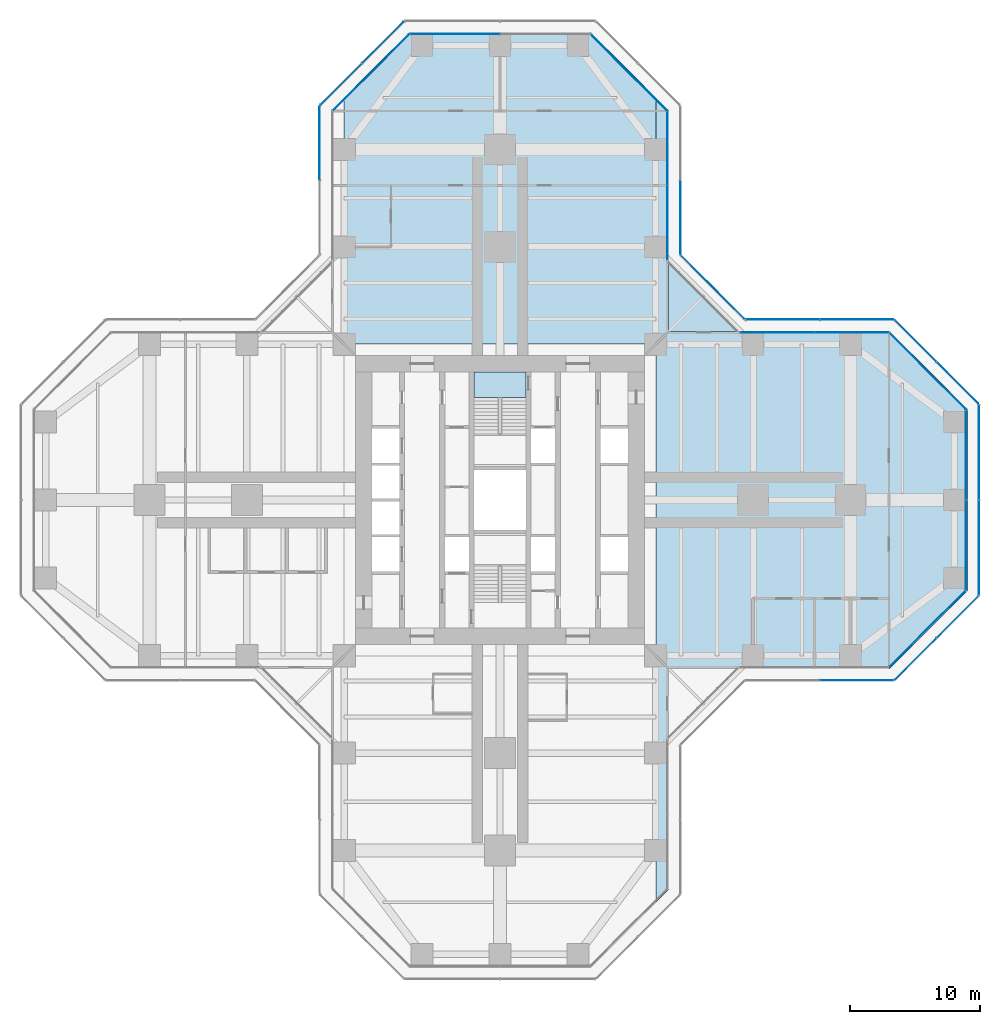
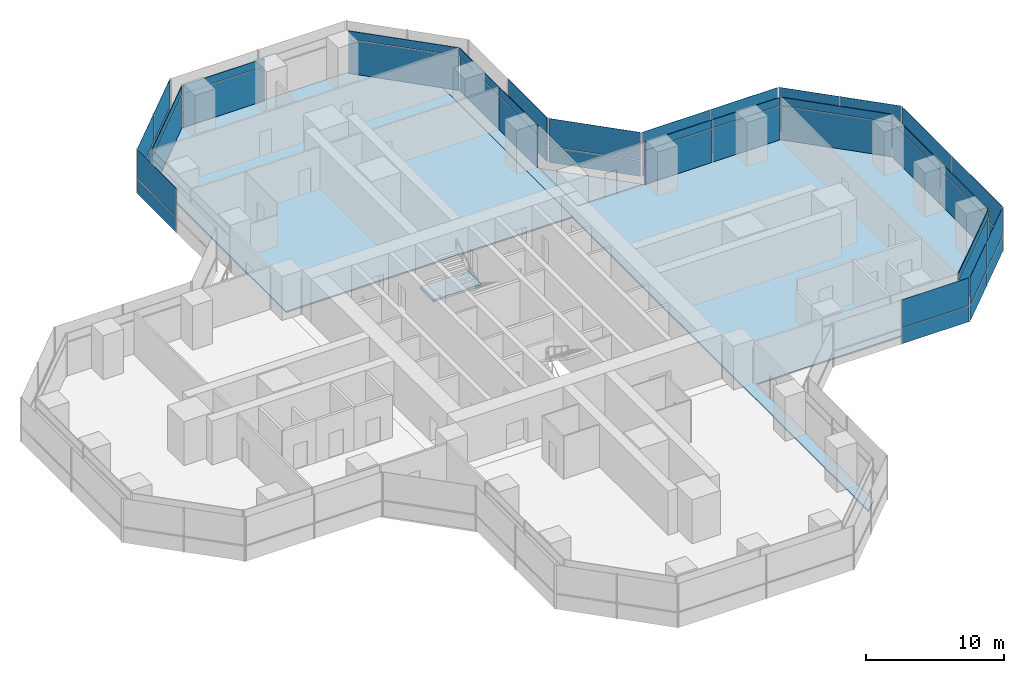
# One storey, part 16 of 22: 50 plates, 4 slabs, 18 elements without a shape of their own.
"""IFC4 building model written with IfcOpenShell, lengths in metres."""

from ifc_helpers import new_model, si_unit, direction, frame, origin, origin_2d, place, context, subcontext, project, spatial, polyline, rectangle, outline, extrude, material, layer, layer_set, type_object, element, aggregate, save


model = new_model("IFC4")

# Units and contexts
model_context = context("Model", 3, precision=1e-05, world=origin(), true_north=direction((0.0, 1.0)))
body_context = subcontext(model_context, "Body", "Model", "MODEL_VIEW")
ifc_project = project(units=[si_unit("LENGTHUNIT", "METRE"), si_unit("AREAUNIT", "SQUARE_METRE"), si_unit("VOLUMEUNIT", "CUBIC_METRE"), si_unit("PLANEANGLEUNIT", "RADIAN"), si_unit("MASSUNIT", "GRAM", prefix="KILO")], contexts=[model_context])

# Site, building, storey
site_placement = place(None, origin())
site = spatial("IfcSite", under=ifc_project, at=site_placement, CompositionType="ELEMENT")
building_placement = place(site_placement, origin())
building = spatial("IfcBuilding", under=site, at=building_placement, Name="Mizan Broadcast Tower", CompositionType="ELEMENT")
storey_placement = place(building_placement, frame((0.0, 0.0, 51.300048828125)))
storey = spatial("IfcBuildingStorey", under=building, at=storey_placement, Name="L09", CompositionType="ELEMENT", Elevation=51.300048828125)

# Slabs
ifc_material_1 = material(Name="Concrete C32/40", Category="concrete")
ifc_layer_1 = layer(ifc_material_1, 0.1298828125)
ifc_layer_set_1 = layer_set([ifc_layer_1], Name="Concrete C32/40")
slab_type_1 = type_object("IfcSlabType", Name="COMPOSITE DECK SLAB 130", PredefinedType="FLOOR", material=ifc_layer_set_1)
slab_1_placement = place(storey_placement, frame((0.0, 0.0, -0.130126953125)))
element("IfcSlab", 1, at=slab_1_placement, inside=storey, type_object=slab_type_1, Name="Floor slab L09 east arm", PredefinedType="FLOOR", context=body_context, shape_type="SweptSolid", body=[
    extrude(outline(polyline([(12.0, -31.0), (13.0, -30.0), (13.0, -13.0), (30.0, -13.0), (36.0, -7.0), (36.0, 7.0), (30.0, 13.0), (13.0, 13.0), (13.0, 30.0), (12.0, 31.0), (12.0, -31.0)])), origin(), (0.0, 0.0, 1.0), 0.130126953125),
])
slab_2_placement = place(storey_placement, frame((0.0, 0.0, -0.130126953125)))
element("IfcSlab", 2, at=slab_2_placement, inside=storey, type_object=slab_type_1, Name="Floor slab L09 north arm", PredefinedType="FLOOR", context=body_context, shape_type="SweptSolid", body=[
    extrude(outline(polyline([(-7.0, 36.0), (-12.0, 31.0), (-12.0, 12.0), (12.0, 12.0), (12.0, 31.0), (7.0, 36.0), (-7.0, 36.0)])), origin(), (0.0, 0.0, 1.0), 0.130126953125),
])

# Curtain wall, plate
ifc_material_2 = material(Name="Aluminium framed glazing", Category="aluminium")
curtain_wall_type_1 = type_object("IfcCurtainWallType", Name="INNER SKIN LOW ZONE", PredefinedType="USERDEFINED", material=ifc_material_2)
curtain_wall_1_placement = place(storey_placement, origin())
curtain_wall_1 = element("IfcCurtainWall", 3, at=curtain_wall_1_placement, inside=storey, type_object=curtain_wall_type_1, Name="Inner skin low zone L09 E chamfer", ObjectType="INNER SKIN LOW ZONE", PredefinedType="USERDEFINED")
ifc_material_3 = material(Name="Double glazing, clear low-e", Category="glass")
ifc_layer_2 = layer(ifc_material_3, 0.028076171875)
ifc_layer_set_2 = layer_set([ifc_layer_2], Name="Double glazing, clear low-e")
plate_type_1 = type_object("IfcPlateType", Name="INNER SKIN GLAZING UNIT", PredefinedType="CURTAIN_PANEL", material=ifc_layer_set_2)
plate_1_placement = place(storey_placement, frame((32.92919921875, -9.92919921875, 0.0), z_axis=(0.0, 0.0, 1.0), x_axis=(0.707106781187, 0.707106781187, 0.0)))
plate_1 = element("IfcPlate", 4, at=plate_1_placement, type_object=plate_type_1, Name="Inner skin low zone L09 E chamfer panel 1.1", PredefinedType="CURTAIN_PANEL", context=body_context, shape_type="SweptSolid", body=[
    extrude(rectangle(XDim=8.282470703125, YDim=0.028076171875, at=origin_2d()), origin(), (0.0, 0.0, 1.0), 3.0),
])

# Curtain wall, plates
curtain_wall_2_placement = place(storey_placement, origin())
curtain_wall_2 = element("IfcCurtainWall", 5, at=curtain_wall_2_placement, inside=storey, type_object=curtain_wall_type_1, Name="Inner skin low zone L09 E end", ObjectType="INNER SKIN LOW ZONE", PredefinedType="USERDEFINED")
plate_2_placement = place(storey_placement, frame((35.89990234375, -3.46435546875, 0.0), z_axis=(0.0, 0.0, 1.0), x_axis=(0.0, 1.0, 0.0)))
plate_2 = element("IfcPlate", 6, at=plate_2_placement, type_object=plate_type_1, Name="Inner skin low zone L09 E end panel 1.1", PredefinedType="CURTAIN_PANEL", context=body_context, shape_type="SweptSolid", body=[
    extrude(rectangle(XDim=6.86865234375, YDim=0.028076171875, at=origin_2d()), origin(), (0.0, 0.0, 1.0), 3.0),
])
plate_3_placement = place(storey_placement, frame((35.89990234375, 3.46435546875, 0.0), z_axis=(0.0, 0.0, 1.0), x_axis=(0.0, 1.0, 0.0)))
plate_3 = element("IfcPlate", 7, at=plate_3_placement, type_object=plate_type_1, Name="Inner skin low zone L09 E end panel 2.1", PredefinedType="CURTAIN_PANEL", context=body_context, shape_type="SweptSolid", body=[
    extrude(rectangle(XDim=6.86865234375, YDim=0.028076171875, at=origin_2d()), origin(), (0.0, 0.0, 1.0), 3.0),
])

# Curtain wall, plate
curtain_wall_3_placement = place(storey_placement, origin())
curtain_wall_3 = element("IfcCurtainWall", 8, at=curtain_wall_3_placement, inside=storey, type_object=curtain_wall_type_1, Name="Inner skin low zone L09 E chamfer", ObjectType="INNER SKIN LOW ZONE", PredefinedType="USERDEFINED")
plate_4_placement = place(storey_placement, frame((32.92919921875, 9.92919921875, 0.0), z_axis=(0.0, 0.0, 1.0), x_axis=(-0.707106781187, 0.707106781187, 0.0)))
plate_4 = element("IfcPlate", 9, at=plate_4_placement, type_object=plate_type_1, Name="Inner skin low zone L09 E chamfer panel 1.1", PredefinedType="CURTAIN_PANEL", context=body_context, shape_type="SweptSolid", body=[
    extrude(rectangle(XDim=8.282470703125, YDim=0.028076171875, at=origin_2d()), origin(), (0.0, 0.0, 1.0), 3.0),
])

# Curtain wall, plates
curtain_wall_4_placement = place(storey_placement, origin())
curtain_wall_4 = element("IfcCurtainWall", 10, at=curtain_wall_4_placement, inside=storey, type_object=curtain_wall_type_1, Name="Inner skin low zone L09 E side", ObjectType="INNER SKIN LOW ZONE", PredefinedType="USERDEFINED")
plate_5_placement = place(storey_placement, frame((27.078857421875, 12.89990234375, 0.0), z_axis=(0.0, 0.0, 1.0), x_axis=(-1.0, 0.0, 0.0)))
plate_5 = element("IfcPlate", 11, at=plate_5_placement, type_object=plate_type_1, Name="Inner skin low zone L09 E side panel 1.1", PredefinedType="CURTAIN_PANEL", context=body_context, shape_type="SweptSolid", body=[
    extrude(rectangle(XDim=5.639404296875, YDim=0.028076171875, at=origin_2d()), origin(), (0.0, 0.0, 1.0), 3.0),
])
plate_6_placement = place(storey_placement, frame((21.379638671875, 12.89990234375, 0.0), z_axis=(0.0, 0.0, 1.0), x_axis=(-1.0, 0.0, 0.0)))
plate_6 = element("IfcPlate", 12, at=plate_6_placement, type_object=plate_type_1, Name="Inner skin low zone L09 E side panel 2.1", PredefinedType="CURTAIN_PANEL", context=body_context, shape_type="SweptSolid", body=[
    extrude(rectangle(XDim=5.639404296875, YDim=0.028076171875, at=origin_2d()), origin(), (0.0, 0.0, 1.0), 3.0),
])

curtain_wall_5_placement = place(storey_placement, origin())
curtain_wall_5 = element("IfcCurtainWall", 13, at=curtain_wall_5_placement, inside=storey, type_object=curtain_wall_type_1, Name="Inner skin low zone L09 N side", ObjectType="INNER SKIN LOW ZONE", PredefinedType="USERDEFINED")
plate_7_placement = place(storey_placement, frame((12.89990234375, 21.379638671875, 0.0), z_axis=(0.0, 0.0, 1.0), x_axis=(0.0, 1.0, 0.0)))
plate_7 = element("IfcPlate", 14, at=plate_7_placement, type_object=plate_type_1, Name="Inner skin low zone L09 N side panel 1.1", PredefinedType="CURTAIN_PANEL", context=body_context, shape_type="SweptSolid", body=[
    extrude(rectangle(XDim=5.639404296875, YDim=0.028076171875, at=origin_2d()), origin(), (0.0, 0.0, 1.0), 3.0),
])
plate_8_placement = place(storey_placement, frame((12.89990234375, 27.078857421875, 0.0), z_axis=(0.0, 0.0, 1.0), x_axis=(0.0, 1.0, 0.0)))
plate_8 = element("IfcPlate", 15, at=plate_8_placement, type_object=plate_type_1, Name="Inner skin low zone L09 N side panel 2.1", PredefinedType="CURTAIN_PANEL", context=body_context, shape_type="SweptSolid", body=[
    extrude(rectangle(XDim=5.639404296875, YDim=0.028076171875, at=origin_2d()), origin(), (0.0, 0.0, 1.0), 3.0),
])

# Curtain wall, plate
curtain_wall_6_placement = place(storey_placement, origin())
curtain_wall_6 = element("IfcCurtainWall", 16, at=curtain_wall_6_placement, inside=storey, type_object=curtain_wall_type_1, Name="Inner skin low zone L09 N chamfer", ObjectType="INNER SKIN LOW ZONE", PredefinedType="USERDEFINED")
plate_9_placement = place(storey_placement, frame((9.92919921875, 32.92919921875, 0.0), z_axis=(0.0, 0.0, 1.0), x_axis=(-0.707106781187, 0.707106781187, 0.0)))
plate_9 = element("IfcPlate", 17, at=plate_9_placement, type_object=plate_type_1, Name="Inner skin low zone L09 N chamfer panel 1.1", PredefinedType="CURTAIN_PANEL", context=body_context, shape_type="SweptSolid", body=[
    extrude(rectangle(XDim=8.282470703125, YDim=0.028076171875, at=origin_2d()), origin(), (0.0, 0.0, 1.0), 3.0),
])

curtain_wall_7_placement = place(storey_placement, origin())
curtain_wall_7 = element("IfcCurtainWall", 18, at=curtain_wall_7_placement, inside=storey, type_object=curtain_wall_type_1, Name="Inner skin low zone L09 N end", ObjectType="INNER SKIN LOW ZONE", PredefinedType="USERDEFINED")
plate_10_placement = place(storey_placement, frame((-3.46435546875, 35.89990234375, 0.0), z_axis=(0.0, 0.0, 1.0), x_axis=(-1.0, 0.0, 0.0)))
plate_10 = element("IfcPlate", 19, at=plate_10_placement, type_object=plate_type_1, Name="Inner skin low zone L09 N end panel 2.1", PredefinedType="CURTAIN_PANEL", context=body_context, shape_type="SweptSolid", body=[
    extrude(rectangle(XDim=6.86865234375, YDim=0.028076171875, at=origin_2d()), origin(), (0.0, 0.0, 1.0), 3.0),
])

curtain_wall_8_placement = place(storey_placement, origin())
curtain_wall_8 = element("IfcCurtainWall", 20, at=curtain_wall_8_placement, inside=storey, type_object=curtain_wall_type_1, Name="Inner skin low zone L09 N chamfer", ObjectType="INNER SKIN LOW ZONE", PredefinedType="USERDEFINED")
plate_11_placement = place(storey_placement, frame((-9.92919921875, 32.92919921875, 0.0), z_axis=(0.0, 0.0, 1.0), x_axis=(-0.707106781187, -0.707106781187, 0.0)))
plate_11 = element("IfcPlate", 21, at=plate_11_placement, type_object=plate_type_1, Name="Inner skin low zone L09 N chamfer panel 1.1", PredefinedType="CURTAIN_PANEL", context=body_context, shape_type="SweptSolid", body=[
    extrude(rectangle(XDim=8.282470703125, YDim=0.028076171875, at=origin_2d()), origin(), (0.0, 0.0, 1.0), 3.0),
])

# Plate
ifc_material_4 = material(Name="Insulated aluminium spandrel panel, pale anodised", Category="aluminium")
ifc_layer_3 = layer(ifc_material_4, 0.050048828125)
ifc_layer_set_3 = layer_set([ifc_layer_3], Name="Insulated aluminium spandrel panel, pale anodised")
plate_type_2 = type_object("IfcPlateType", Name="INNER SKIN SPANDREL PANEL", PredefinedType="CURTAIN_PANEL", material=ifc_layer_set_3)
plate_12_placement = place(storey_placement, frame((32.92919921875, -9.92919921875, 3.06005859375), z_axis=(0.0, 0.0, 1.0), x_axis=(0.707106781187, 0.707106781187, 0.0)))
plate_12 = element("IfcPlate", 22, at=plate_12_placement, type_object=plate_type_2, Name="Inner skin low zone L09 E chamfer panel 1.2", PredefinedType="CURTAIN_PANEL", context=body_context, shape_type="SweptSolid", body=[
    extrude(rectangle(XDim=8.282470703125, YDim=0.050048828125, at=origin_2d()), origin(), (0.0, 0.0, 1.0), 0.7099609375),
])

aggregate(curtain_wall_1, [plate_1, plate_12])

plate_13_placement = place(storey_placement, frame((35.89990234375, -3.46435546875, 3.06005859375), z_axis=(0.0, 0.0, 1.0), x_axis=(0.0, 1.0, 0.0)))
plate_13 = element("IfcPlate", 23, at=plate_13_placement, type_object=plate_type_2, Name="Inner skin low zone L09 E end panel 1.2", PredefinedType="CURTAIN_PANEL", context=body_context, shape_type="SweptSolid", body=[
    extrude(rectangle(XDim=6.86865234375, YDim=0.050048828125, at=origin_2d()), origin(), (0.0, 0.0, 1.0), 0.7099609375),
])

plate_14_placement = place(storey_placement, frame((35.89990234375, 3.46435546875, 3.06005859375), z_axis=(0.0, 0.0, 1.0), x_axis=(0.0, 1.0, 0.0)))
plate_14 = element("IfcPlate", 24, at=plate_14_placement, type_object=plate_type_2, Name="Inner skin low zone L09 E end panel 2.2", PredefinedType="CURTAIN_PANEL", context=body_context, shape_type="SweptSolid", body=[
    extrude(rectangle(XDim=6.86865234375, YDim=0.050048828125, at=origin_2d()), origin(), (0.0, 0.0, 1.0), 0.7099609375),
])

aggregate(curtain_wall_2, [plate_2, plate_13, plate_3, plate_14])

plate_15_placement = place(storey_placement, frame((32.92919921875, 9.92919921875, 3.06005859375), z_axis=(0.0, 0.0, 1.0), x_axis=(-0.707106781187, 0.707106781187, 0.0)))
plate_15 = element("IfcPlate", 25, at=plate_15_placement, type_object=plate_type_2, Name="Inner skin low zone L09 E chamfer panel 1.2", PredefinedType="CURTAIN_PANEL", context=body_context, shape_type="SweptSolid", body=[
    extrude(rectangle(XDim=8.282470703125, YDim=0.050048828125, at=origin_2d()), origin(), (0.0, 0.0, 1.0), 0.7099609375),
])

aggregate(curtain_wall_3, [plate_4, plate_15])

plate_16_placement = place(storey_placement, frame((27.078857421875, 12.89990234375, 3.06005859375), z_axis=(0.0, 0.0, 1.0), x_axis=(-1.0, 0.0, 0.0)))
plate_16 = element("IfcPlate", 26, at=plate_16_placement, type_object=plate_type_2, Name="Inner skin low zone L09 E side panel 1.2", PredefinedType="CURTAIN_PANEL", context=body_context, shape_type="SweptSolid", body=[
    extrude(rectangle(XDim=5.639404296875, YDim=0.050048828125, at=origin_2d()), origin(), (0.0, 0.0, 1.0), 0.7099609375),
])

plate_17_placement = place(storey_placement, frame((21.379638671875, 12.89990234375, 3.06005859375), z_axis=(0.0, 0.0, 1.0), x_axis=(-1.0, 0.0, 0.0)))
plate_17 = element("IfcPlate", 27, at=plate_17_placement, type_object=plate_type_2, Name="Inner skin low zone L09 E side panel 2.2", PredefinedType="CURTAIN_PANEL", context=body_context, shape_type="SweptSolid", body=[
    extrude(rectangle(XDim=5.639404296875, YDim=0.050048828125, at=origin_2d()), origin(), (0.0, 0.0, 1.0), 0.7099609375),
])

aggregate(curtain_wall_4, [plate_5, plate_16, plate_6, plate_17])

plate_18_placement = place(storey_placement, frame((12.89990234375, 21.379638671875, 3.06005859375), z_axis=(0.0, 0.0, 1.0), x_axis=(0.0, 1.0, 0.0)))
plate_18 = element("IfcPlate", 28, at=plate_18_placement, type_object=plate_type_2, Name="Inner skin low zone L09 N side panel 1.2", PredefinedType="CURTAIN_PANEL", context=body_context, shape_type="SweptSolid", body=[
    extrude(rectangle(XDim=5.639404296875, YDim=0.050048828125, at=origin_2d()), origin(), (0.0, 0.0, 1.0), 0.7099609375),
])

plate_19_placement = place(storey_placement, frame((12.89990234375, 27.078857421875, 3.06005859375), z_axis=(0.0, 0.0, 1.0), x_axis=(0.0, 1.0, 0.0)))
plate_19 = element("IfcPlate", 29, at=plate_19_placement, type_object=plate_type_2, Name="Inner skin low zone L09 N side panel 2.2", PredefinedType="CURTAIN_PANEL", context=body_context, shape_type="SweptSolid", body=[
    extrude(rectangle(XDim=5.639404296875, YDim=0.050048828125, at=origin_2d()), origin(), (0.0, 0.0, 1.0), 0.7099609375),
])

aggregate(curtain_wall_5, [plate_7, plate_18, plate_8, plate_19])

plate_20_placement = place(storey_placement, frame((9.92919921875, 32.92919921875, 3.06005859375), z_axis=(0.0, 0.0, 1.0), x_axis=(-0.707106781187, 0.707106781187, 0.0)))
plate_20 = element("IfcPlate", 30, at=plate_20_placement, type_object=plate_type_2, Name="Inner skin low zone L09 N chamfer panel 1.2", PredefinedType="CURTAIN_PANEL", context=body_context, shape_type="SweptSolid", body=[
    extrude(rectangle(XDim=8.282470703125, YDim=0.050048828125, at=origin_2d()), origin(), (0.0, 0.0, 1.0), 0.7099609375),
])

aggregate(curtain_wall_6, [plate_9, plate_20])

plate_21_placement = place(storey_placement, frame((-3.46435546875, 35.89990234375, 3.06005859375), z_axis=(0.0, 0.0, 1.0), x_axis=(-1.0, 0.0, 0.0)))
plate_21 = element("IfcPlate", 31, at=plate_21_placement, type_object=plate_type_2, Name="Inner skin low zone L09 N end panel 2.2", PredefinedType="CURTAIN_PANEL", context=body_context, shape_type="SweptSolid", body=[
    extrude(rectangle(XDim=6.86865234375, YDim=0.050048828125, at=origin_2d()), origin(), (0.0, 0.0, 1.0), 0.7099609375),
])

aggregate(curtain_wall_7, [plate_10, plate_21])

plate_22_placement = place(storey_placement, frame((-9.92919921875, 32.92919921875, 3.06005859375), z_axis=(0.0, 0.0, 1.0), x_axis=(-0.707106781187, -0.707106781187, 0.0)))
plate_22 = element("IfcPlate", 32, at=plate_22_placement, type_object=plate_type_2, Name="Inner skin low zone L09 N chamfer panel 1.2", PredefinedType="CURTAIN_PANEL", context=body_context, shape_type="SweptSolid", body=[
    extrude(rectangle(XDim=8.282470703125, YDim=0.050048828125, at=origin_2d()), origin(), (0.0, 0.0, 1.0), 0.7099609375),
])

aggregate(curtain_wall_8, [plate_11, plate_22])

# Curtain wall, plates
ifc_material_5 = material(Name="Aluminium framed glazing", Category="aluminium")
curtain_wall_type_2 = type_object("IfcCurtainWallType", Name="OUTER SKIN", PredefinedType="USERDEFINED", material=ifc_material_5)
curtain_wall_9_placement = place(storey_placement, origin())
curtain_wall_9 = element("IfcCurtainWall", 33, at=curtain_wall_9_placement, inside=storey, type_object=curtain_wall_type_2, Name="Outer skin L09 E chamfer", ObjectType="OUTER SKIN", PredefinedType="USERDEFINED")
ifc_material_6 = material(Name="Laminated clear glass", Category="glass")
ifc_layer_4 = layer(ifc_material_6, 0.02001953125)
ifc_layer_set_4 = layer_set([ifc_layer_4], Name="Laminated clear glass")
plate_type_3 = type_object("IfcPlateType", Name="OUTER SKIN CLEAR GLASS", PredefinedType="CURTAIN_PANEL", material=ifc_layer_set_4)
plate_23_placement = place(storey_placement, frame((32.018798828125, -12.254150390625, 0.0), z_axis=(0.0, 0.0, 1.0), x_axis=(0.707106781187, 0.707106781187, 0.0)))
plate_23 = element("IfcPlate", 34, at=plate_23_placement, type_object=plate_type_3, Name="Outer skin L09 E chamfer panel 1.1", PredefinedType="CURTAIN_PANEL", context=body_context, shape_type="SweptSolid", body=[
    extrude(rectangle(XDim=4.495361328125, YDim=0.02001953125, at=origin_2d()), origin(), (0.0, 0.0, 1.0), 1.3701171875),
])
plate_24_placement = place(storey_placement, frame((32.018798828125, -12.254150390625, 1.43017578125), z_axis=(0.0, 0.0, 1.0), x_axis=(0.707106781187, 0.707106781187, 0.0)))
plate_24 = element("IfcPlate", 35, at=plate_24_placement, type_object=plate_type_3, Name="Outer skin L09 E chamfer panel 1.2", PredefinedType="CURTAIN_PANEL", context=body_context, shape_type="SweptSolid", body=[
    extrude(rectangle(XDim=4.495361328125, YDim=0.02001953125, at=origin_2d()), origin(), (0.0, 0.0, 1.0), 2.469970703125),
])

curtain_wall_10_placement = place(storey_placement, origin())
curtain_wall_10 = element("IfcCurtainWall", 36, at=curtain_wall_10_placement, inside=storey, type_object=curtain_wall_type_2, Name="Outer skin L09 E end", ObjectType="OUTER SKIN", PredefinedType="USERDEFINED")
plate_25_placement = place(storey_placement, frame((36.89990234375, -3.66650390625, 0.0), z_axis=(0.0, 0.0, 1.0), x_axis=(0.0, 1.0, 0.0)))
plate_25 = element("IfcPlate", 37, at=plate_25_placement, type_object=plate_type_3, Name="Outer skin L09 E end panel 1.1", PredefinedType="CURTAIN_PANEL", context=body_context, shape_type="SweptSolid", body=[
    extrude(rectangle(XDim=7.252685546875, YDim=0.02001953125, at=origin_2d()), origin(), (0.0, 0.0, 1.0), 1.3701171875),
])
plate_26_placement = place(storey_placement, frame((36.89990234375, -3.66650390625, 1.43017578125), z_axis=(0.0, 0.0, 1.0), x_axis=(0.0, 1.0, 0.0)))
plate_26 = element("IfcPlate", 38, at=plate_26_placement, type_object=plate_type_3, Name="Outer skin L09 E end panel 1.2", PredefinedType="CURTAIN_PANEL", context=body_context, shape_type="SweptSolid", body=[
    extrude(rectangle(XDim=7.252685546875, YDim=0.02001953125, at=origin_2d()), origin(), (0.0, 0.0, 1.0), 2.469970703125),
])

curtain_wall_11_placement = place(storey_placement, origin())
curtain_wall_11 = element("IfcCurtainWall", 39, at=curtain_wall_11_placement, inside=storey, type_object=curtain_wall_type_2, Name="Outer skin L09 E chamfer", ObjectType="OUTER SKIN", PredefinedType="USERDEFINED")
plate_27_placement = place(storey_placement, frame((35.254150390625, 9.018798828125, 0.0), z_axis=(0.0, 0.0, 1.0), x_axis=(-0.707106781187, 0.707106781187, 0.0)))
plate_27 = element("IfcPlate", 40, at=plate_27_placement, type_object=plate_type_3, Name="Outer skin L09 E chamfer panel 1.1", PredefinedType="CURTAIN_PANEL", context=body_context, shape_type="SweptSolid", body=[
    extrude(rectangle(XDim=4.495361328125, YDim=0.02001953125, at=origin_2d()), origin(), (0.0, 0.0, 1.0), 1.3701171875),
])
plate_28_placement = place(storey_placement, frame((35.254150390625, 9.018798828125, 1.43017578125), z_axis=(0.0, 0.0, 1.0), x_axis=(-0.707106781187, 0.707106781187, 0.0)))
plate_28 = element("IfcPlate", 41, at=plate_28_placement, type_object=plate_type_3, Name="Outer skin L09 E chamfer panel 1.2", PredefinedType="CURTAIN_PANEL", context=body_context, shape_type="SweptSolid", body=[
    extrude(rectangle(XDim=4.495361328125, YDim=0.02001953125, at=origin_2d()), origin(), (0.0, 0.0, 1.0), 2.469970703125),
])

curtain_wall_12_placement = place(storey_placement, origin())
curtain_wall_12 = element("IfcCurtainWall", 42, at=curtain_wall_12_placement, inside=storey, type_object=curtain_wall_type_2, Name="Outer skin L09 E side", ObjectType="OUTER SKIN", PredefinedType="USERDEFINED")
plate_29_placement = place(storey_placement, frame((27.477783203125, 13.89990234375, 0.0), z_axis=(0.0, 0.0, 1.0), x_axis=(-1.0, 0.0, 0.0)))
plate_29 = element("IfcPlate", 43, at=plate_29_placement, type_object=plate_type_3, Name="Outer skin L09 E side panel 1.1", PredefinedType="CURTAIN_PANEL", context=body_context, shape_type="SweptSolid", body=[
    extrude(rectangle(XDim=5.6298828125, YDim=0.02001953125, at=origin_2d()), origin(), (0.0, 0.0, 1.0), 1.3701171875),
])
plate_30_placement = place(storey_placement, frame((27.477783203125, 13.89990234375, 1.43017578125), z_axis=(0.0, 0.0, 1.0), x_axis=(-1.0, 0.0, 0.0)))
plate_30 = element("IfcPlate", 44, at=plate_30_placement, type_object=plate_type_3, Name="Outer skin L09 E side panel 1.2", PredefinedType="CURTAIN_PANEL", context=body_context, shape_type="SweptSolid", body=[
    extrude(rectangle(XDim=5.6298828125, YDim=0.02001953125, at=origin_2d()), origin(), (0.0, 0.0, 1.0), 2.469970703125),
])
plate_31_placement = place(storey_placement, frame((21.767822265625, 13.89990234375, 0.0), z_axis=(0.0, 0.0, 1.0), x_axis=(-1.0, 0.0, 0.0)))
plate_31 = element("IfcPlate", 45, at=plate_31_placement, type_object=plate_type_3, Name="Outer skin L09 E side panel 2.1", PredefinedType="CURTAIN_PANEL", context=body_context, shape_type="SweptSolid", body=[
    extrude(rectangle(XDim=5.6298828125, YDim=0.02001953125, at=origin_2d()), origin(), (0.0, 0.0, 1.0), 1.3701171875),
])
plate_32_placement = place(storey_placement, frame((21.767822265625, 13.89990234375, 1.43017578125), z_axis=(0.0, 0.0, 1.0), x_axis=(-1.0, 0.0, 0.0)))
plate_32 = element("IfcPlate", 46, at=plate_32_placement, type_object=plate_type_3, Name="Outer skin L09 E side panel 2.2", PredefinedType="CURTAIN_PANEL", context=body_context, shape_type="SweptSolid", body=[
    extrude(rectangle(XDim=5.6298828125, YDim=0.02001953125, at=origin_2d()), origin(), (0.0, 0.0, 1.0), 2.469970703125),
])
aggregate(curtain_wall_12, [plate_29, plate_30, plate_31, plate_32])

curtain_wall_13_placement = place(storey_placement, origin())
curtain_wall_13 = element("IfcCurtainWall", 47, at=curtain_wall_13_placement, inside=storey, type_object=curtain_wall_type_2, Name="Outer skin L09 E chamfer", ObjectType="OUTER SKIN", PredefinedType="USERDEFINED")
plate_33_placement = place(storey_placement, frame((16.386474609375, 16.386474609375, 0.0), z_axis=(0.0, 0.0, 1.0), x_axis=(-0.707106781187, 0.707106781187, 0.0)))
plate_33 = element("IfcPlate", 48, at=plate_33_placement, type_object=plate_type_3, Name="Outer skin L09 E chamfer panel 1.1", PredefinedType="CURTAIN_PANEL", context=body_context, shape_type="SweptSolid", body=[
    extrude(rectangle(XDim=6.87255859375, YDim=0.02001953125, at=origin_2d()), origin(), (0.0, 0.0, 1.0), 1.3701171875),
])
plate_34_placement = place(storey_placement, frame((16.386474609375, 16.386474609375, 1.43017578125), z_axis=(0.0, 0.0, 1.0), x_axis=(-0.707106781187, 0.707106781187, 0.0)))
plate_34 = element("IfcPlate", 49, at=plate_34_placement, type_object=plate_type_3, Name="Outer skin L09 E chamfer panel 1.2", PredefinedType="CURTAIN_PANEL", context=body_context, shape_type="SweptSolid", body=[
    extrude(rectangle(XDim=6.87255859375, YDim=0.02001953125, at=origin_2d()), origin(), (0.0, 0.0, 1.0), 2.469970703125),
])
aggregate(curtain_wall_13, [plate_33, plate_34])

curtain_wall_14_placement = place(storey_placement, origin())
curtain_wall_14 = element("IfcCurtainWall", 50, at=curtain_wall_14_placement, inside=storey, type_object=curtain_wall_type_2, Name="Outer skin L09 N side", ObjectType="OUTER SKIN", PredefinedType="USERDEFINED")
plate_35_placement = place(storey_placement, frame((13.89990234375, 21.767822265625, 0.0), z_axis=(0.0, 0.0, 1.0), x_axis=(0.0, 1.0, 0.0)))
plate_35 = element("IfcPlate", 51, at=plate_35_placement, type_object=plate_type_3, Name="Outer skin L09 N side panel 1.1", PredefinedType="CURTAIN_PANEL", context=body_context, shape_type="SweptSolid", body=[
    extrude(rectangle(XDim=5.6298828125, YDim=0.02001953125, at=origin_2d()), origin(), (0.0, 0.0, 1.0), 1.3701171875),
])
plate_36_placement = place(storey_placement, frame((13.89990234375, 21.767822265625, 1.43017578125), z_axis=(0.0, 0.0, 1.0), x_axis=(0.0, 1.0, 0.0)))
plate_36 = element("IfcPlate", 52, at=plate_36_placement, type_object=plate_type_3, Name="Outer skin L09 N side panel 1.2", PredefinedType="CURTAIN_PANEL", context=body_context, shape_type="SweptSolid", body=[
    extrude(rectangle(XDim=5.6298828125, YDim=0.02001953125, at=origin_2d()), origin(), (0.0, 0.0, 1.0), 2.469970703125),
])
aggregate(curtain_wall_14, [plate_35, plate_36])

curtain_wall_15_placement = place(storey_placement, origin())
curtain_wall_15 = element("IfcCurtainWall", 53, at=curtain_wall_15_placement, inside=storey, type_object=curtain_wall_type_2, Name="Outer skin L09 N chamfer", ObjectType="OUTER SKIN", PredefinedType="USERDEFINED")
plate_37_placement = place(storey_placement, frame((-9.018798828125, 35.254150390625, 0.0), z_axis=(0.0, 0.0, 1.0), x_axis=(-0.707106781187, -0.707106781187, 0.0)))
plate_37 = element("IfcPlate", 54, at=plate_37_placement, type_object=plate_type_3, Name="Outer skin L09 N chamfer panel 1.1", PredefinedType="CURTAIN_PANEL", context=body_context, shape_type="SweptSolid", body=[
    extrude(rectangle(XDim=4.495361328125, YDim=0.02001953125, at=origin_2d()), origin(), (0.0, 0.0, 1.0), 1.3701171875),
])
plate_38_placement = place(storey_placement, frame((-9.018798828125, 35.254150390625, 1.43017578125), z_axis=(0.0, 0.0, 1.0), x_axis=(-0.707106781187, -0.707106781187, 0.0)))
plate_38 = element("IfcPlate", 55, at=plate_38_placement, type_object=plate_type_3, Name="Outer skin L09 N chamfer panel 1.2", PredefinedType="CURTAIN_PANEL", context=body_context, shape_type="SweptSolid", body=[
    extrude(rectangle(XDim=4.495361328125, YDim=0.02001953125, at=origin_2d()), origin(), (0.0, 0.0, 1.0), 2.469970703125),
])

curtain_wall_16_placement = place(storey_placement, origin())
curtain_wall_16 = element("IfcCurtainWall", 56, at=curtain_wall_16_placement, inside=storey, type_object=curtain_wall_type_2, Name="Outer skin L09 N side", ObjectType="OUTER SKIN", PredefinedType="USERDEFINED")
plate_39_placement = place(storey_placement, frame((-13.89990234375, 27.477783203125, 0.0), z_axis=(0.0, 0.0, 1.0), x_axis=(0.0, -1.0, 0.0)))
plate_39 = element("IfcPlate", 57, at=plate_39_placement, type_object=plate_type_3, Name="Outer skin L09 N side panel 1.1", PredefinedType="CURTAIN_PANEL", context=body_context, shape_type="SweptSolid", body=[
    extrude(rectangle(XDim=5.6298828125, YDim=0.02001953125, at=origin_2d()), origin(), (0.0, 0.0, 1.0), 1.3701171875),
])
plate_40_placement = place(storey_placement, frame((-13.89990234375, 27.477783203125, 1.43017578125), z_axis=(0.0, 0.0, 1.0), x_axis=(0.0, -1.0, 0.0)))
plate_40 = element("IfcPlate", 58, at=plate_40_placement, type_object=plate_type_3, Name="Outer skin L09 N side panel 1.2", PredefinedType="CURTAIN_PANEL", context=body_context, shape_type="SweptSolid", body=[
    extrude(rectangle(XDim=5.6298828125, YDim=0.02001953125, at=origin_2d()), origin(), (0.0, 0.0, 1.0), 2.469970703125),
])
aggregate(curtain_wall_16, [plate_39, plate_40])

# Plate
ifc_material_7 = material(Name="Perforated aluminium, pale anodised", Category="aluminium")
ifc_layer_5 = layer(ifc_material_7, 0.011962890625)
ifc_layer_set_5 = layer_set([ifc_layer_5], Name="Perforated aluminium, pale anodised")
plate_type_4 = type_object("IfcPlateType", Name="OUTER SKIN PERFORATED SCREEN", PredefinedType="USERDEFINED", material=ifc_layer_set_5)
plate_41_placement = place(storey_placement, frame((35.254150390625, -9.018798828125, 0.0), z_axis=(0.0, 0.0, 1.0), x_axis=(0.707106781187, 0.707106781187, 0.0)))
plate_41 = element("IfcPlate", 59, at=plate_41_placement, type_object=plate_type_4, Name="Outer skin L09 E chamfer panel 2.1", ObjectType="SCREEN", PredefinedType="USERDEFINED", context=body_context, shape_type="SweptSolid", body=[
    extrude(rectangle(XDim=4.495361328125, YDim=0.011962890625, at=origin_2d()), origin(), (0.0, 0.0, 1.0), 1.3701171875),
])

plate_42_placement = place(storey_placement, frame((35.254150390625, -9.018798828125, 1.43017578125), z_axis=(0.0, 0.0, 1.0), x_axis=(0.707106781187, 0.707106781187, 0.0)))
plate_42 = element("IfcPlate", 60, at=plate_42_placement, type_object=plate_type_4, Name="Outer skin L09 E chamfer panel 2.2", ObjectType="SCREEN", PredefinedType="USERDEFINED", context=body_context, shape_type="SweptSolid", body=[
    extrude(rectangle(XDim=4.495361328125, YDim=0.011962890625, at=origin_2d()), origin(), (0.0, 0.0, 1.0), 2.469970703125),
])

aggregate(curtain_wall_9, [plate_23, plate_24, plate_41, plate_42])

plate_43_placement = place(storey_placement, frame((36.89990234375, 3.66650390625, 0.0), z_axis=(0.0, 0.0, 1.0), x_axis=(0.0, 1.0, 0.0)))
plate_43 = element("IfcPlate", 61, at=plate_43_placement, type_object=plate_type_4, Name="Outer skin L09 E end panel 2.1", ObjectType="SCREEN", PredefinedType="USERDEFINED", context=body_context, shape_type="SweptSolid", body=[
    extrude(rectangle(XDim=7.252685546875, YDim=0.011962890625, at=origin_2d()), origin(), (0.0, 0.0, 1.0), 1.3701171875),
])

plate_44_placement = place(storey_placement, frame((36.89990234375, 3.66650390625, 1.43017578125), z_axis=(0.0, 0.0, 1.0), x_axis=(0.0, 1.0, 0.0)))
plate_44 = element("IfcPlate", 62, at=plate_44_placement, type_object=plate_type_4, Name="Outer skin L09 E end panel 2.2", ObjectType="SCREEN", PredefinedType="USERDEFINED", context=body_context, shape_type="SweptSolid", body=[
    extrude(rectangle(XDim=7.252685546875, YDim=0.011962890625, at=origin_2d()), origin(), (0.0, 0.0, 1.0), 2.469970703125),
])

aggregate(curtain_wall_10, [plate_25, plate_26, plate_43, plate_44])

plate_45_placement = place(storey_placement, frame((32.018798828125, 12.254150390625, 0.0), z_axis=(0.0, 0.0, 1.0), x_axis=(-0.707106781187, 0.707106781187, 0.0)))
plate_45 = element("IfcPlate", 63, at=plate_45_placement, type_object=plate_type_4, Name="Outer skin L09 E chamfer panel 2.1", ObjectType="SCREEN", PredefinedType="USERDEFINED", context=body_context, shape_type="SweptSolid", body=[
    extrude(rectangle(XDim=4.495361328125, YDim=0.011962890625, at=origin_2d()), origin(), (0.0, 0.0, 1.0), 1.3701171875),
])

plate_46_placement = place(storey_placement, frame((32.018798828125, 12.254150390625, 1.43017578125), z_axis=(0.0, 0.0, 1.0), x_axis=(-0.707106781187, 0.707106781187, 0.0)))
plate_46 = element("IfcPlate", 64, at=plate_46_placement, type_object=plate_type_4, Name="Outer skin L09 E chamfer panel 2.2", ObjectType="SCREEN", PredefinedType="USERDEFINED", context=body_context, shape_type="SweptSolid", body=[
    extrude(rectangle(XDim=4.495361328125, YDim=0.011962890625, at=origin_2d()), origin(), (0.0, 0.0, 1.0), 2.469970703125),
])

aggregate(curtain_wall_11, [plate_27, plate_28, plate_45, plate_46])

plate_47_placement = place(storey_placement, frame((-12.254150390625, 32.018798828125, 0.0), z_axis=(0.0, 0.0, 1.0), x_axis=(-0.707106781187, -0.707106781187, 0.0)))
plate_47 = element("IfcPlate", 65, at=plate_47_placement, type_object=plate_type_4, Name="Outer skin L09 N chamfer panel 2.1", ObjectType="SCREEN", PredefinedType="USERDEFINED", context=body_context, shape_type="SweptSolid", body=[
    extrude(rectangle(XDim=4.495361328125, YDim=0.011962890625, at=origin_2d()), origin(), (0.0, 0.0, 1.0), 1.3701171875),
])

plate_48_placement = place(storey_placement, frame((-12.254150390625, 32.018798828125, 1.43017578125), z_axis=(0.0, 0.0, 1.0), x_axis=(-0.707106781187, -0.707106781187, 0.0)))
plate_48 = element("IfcPlate", 66, at=plate_48_placement, type_object=plate_type_4, Name="Outer skin L09 N chamfer panel 2.2", ObjectType="SCREEN", PredefinedType="USERDEFINED", context=body_context, shape_type="SweptSolid", body=[
    extrude(rectangle(XDim=4.495361328125, YDim=0.011962890625, at=origin_2d()), origin(), (0.0, 0.0, 1.0), 2.469970703125),
])

aggregate(curtain_wall_15, [plate_37, plate_38, plate_47, plate_48])

# Curtain wall, plates
curtain_wall_17_placement = place(storey_placement, origin())
curtain_wall_17 = element("IfcCurtainWall", 67, at=curtain_wall_17_placement, inside=storey, type_object=curtain_wall_type_2, Name="Outer skin L09 E side", ObjectType="OUTER SKIN", PredefinedType="USERDEFINED")
plate_49_placement = place(storey_placement, frame((27.477783203125, -13.89990234375, 0.0), z_axis=(0.0, 0.0, 1.0), x_axis=(1.0, 0.0, 0.0)))
plate_49 = element("IfcPlate", 68, at=plate_49_placement, type_object=plate_type_4, Name="Outer skin L09 E side panel 2.1", ObjectType="SCREEN", PredefinedType="USERDEFINED", context=body_context, shape_type="SweptSolid", body=[
    extrude(rectangle(XDim=5.6298828125, YDim=0.011962890625, at=origin_2d()), origin(), (0.0, 0.0, 1.0), 1.3701171875),
])
plate_50_placement = place(storey_placement, frame((27.477783203125, -13.89990234375, 1.43017578125), z_axis=(0.0, 0.0, 1.0), x_axis=(1.0, 0.0, 0.0)))
plate_50 = element("IfcPlate", 69, at=plate_50_placement, type_object=plate_type_4, Name="Outer skin L09 E side panel 2.2", ObjectType="SCREEN", PredefinedType="USERDEFINED", context=body_context, shape_type="SweptSolid", body=[
    extrude(rectangle(XDim=5.6298828125, YDim=0.011962890625, at=origin_2d()), origin(), (0.0, 0.0, 1.0), 2.469970703125),
])
aggregate(curtain_wall_17, [plate_49, plate_50])

# Stair, slab
ifc_material_8 = material(Name="Concrete C40/50", Category="concrete")
stair_type = type_object("IfcStairType", Name="EXIT STAIR", PredefinedType="HALF_TURN_STAIR", material=ifc_material_8)
stair_placement = place(storey_placement, origin())
stair = element("IfcStair", 70, at=stair_placement, inside=storey, type_object=stair_type, Name="Stair B L09", PredefinedType="HALF_TURN_STAIR")
ifc_material_9 = material(Name="Concrete C40/50", Category="concrete")
ifc_layer_6 = layer(ifc_material_9, 0.199951171875)
ifc_layer_set_6 = layer_set([ifc_layer_6], Name="Concrete C40/50")
slab_type_2 = type_object("IfcSlabType", Name="STAIR LANDING 200", PredefinedType="LANDING", material=ifc_layer_set_6)
slab_3_placement = place(storey_placement, frame((0.0, 0.0, -0.199951171875)))
slab_3 = element("IfcSlab", 71, at=slab_3_placement, type_object=slab_type_2, Name="B landing 1", PredefinedType="LANDING", context=body_context, shape_type="SweptSolid", body=[
    extrude(outline(polyline([(2.0, 9.85009765625), (2.0, 7.89990234375), (-2.0, 7.89990234375), (-2.0, 9.85009765625), (2.0, 9.85009765625)])), origin(), (0.0, 0.0, 1.0), 0.199951171875),
])
aggregate(stair, [slab_3])

# Slab
ifc_material_10 = material(Name="Concrete C32/40", Category="concrete")
ifc_layer_7 = layer(ifc_material_10, 0.1298828125)
ifc_layer_set_7 = layer_set([ifc_layer_7], Name="Concrete C32/40")
slab_type_3 = type_object("IfcSlabType", Name="WINTER GARDEN SLAB 130", PredefinedType="FLOOR", material=ifc_layer_set_7)
slab_4_placement = place(storey_placement, frame((0.0, 0.0, -0.130126953125)))
element("IfcSlab", 72, at=slab_4_placement, inside=storey, type_object=slab_type_3, Name="Winter garden slab L09 E", PredefinedType="FLOOR", context=body_context, shape_type="SweptSolid", body=[
    extrude(outline(polyline([(13.0, 13.0), (18.5, 13.0), (13.0, 18.5), (13.0, 13.0)])), origin(), (0.0, 0.0, 1.0), 0.130126953125),
])

save(model, "model.ifc")
